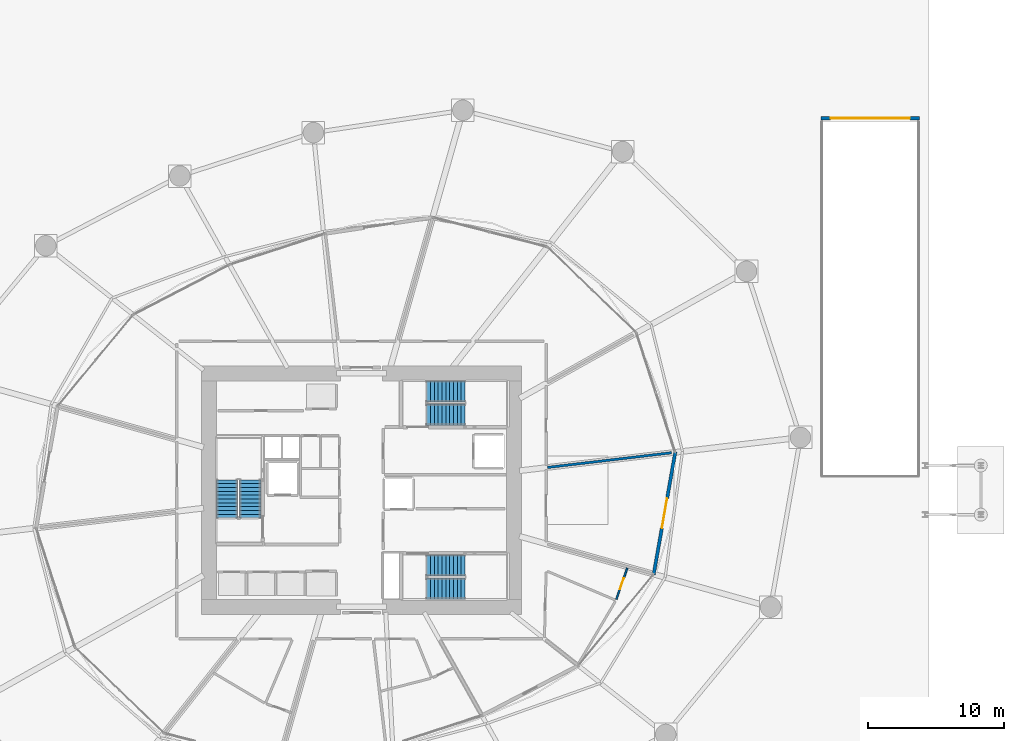
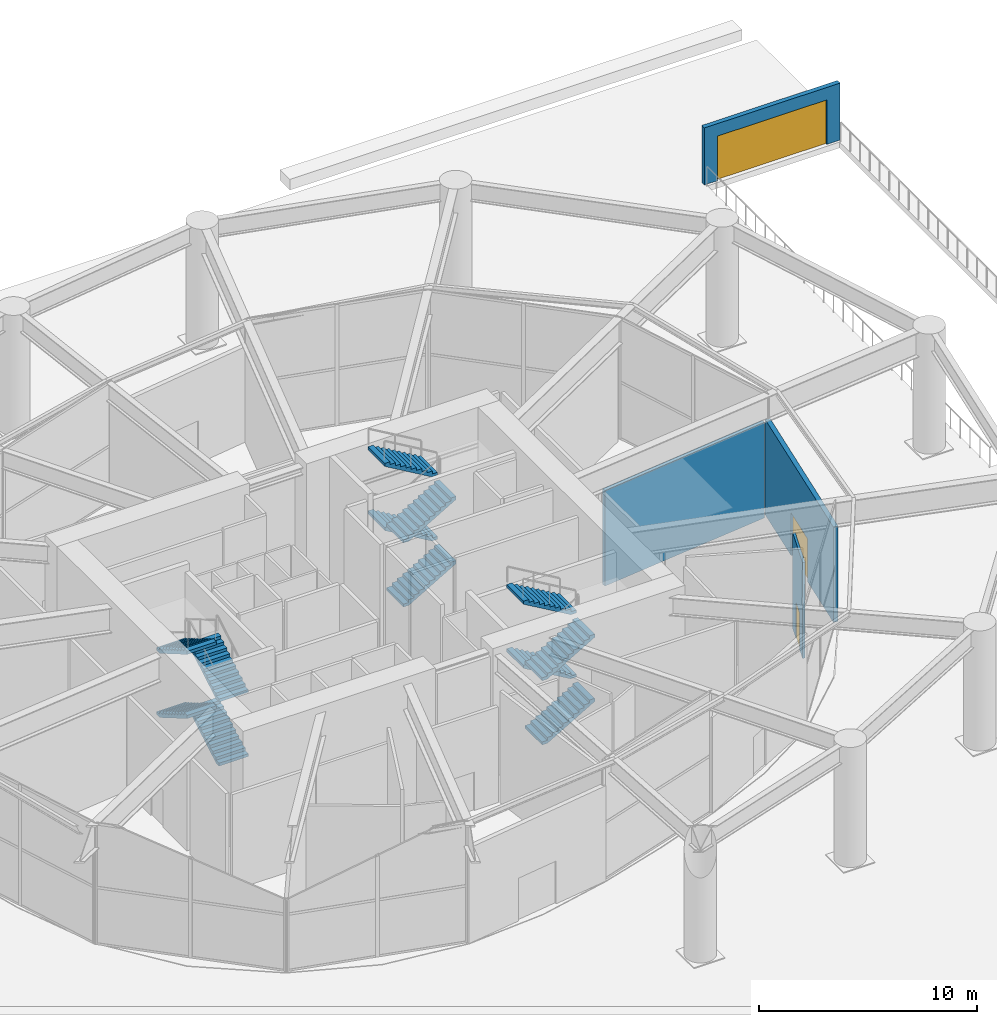
# One storey, part 24 of 28: 12 stair flights, 4 walls, 3 doors, 3 openings, 3 elements without a shape of their own.
"""IFC4 building model written with IfcOpenShell, lengths in metres."""

from ifc_helpers import new_model, si_unit, direction, frame, frame_2d, origin, place, context, subcontext, project, spatial, polyline, rectangle, outline, extrude, material, layer, layer_set, type_object, element, fill, aggregate, save


model = new_model("IFC4")

# Units and contexts
model_context = context("Model", 3, precision=1e-05, world=origin(), true_north=direction((0.0, 1.0)))
body_context = subcontext(model_context, "Body", "Model", "MODEL_VIEW")
ifc_project = project(units=[si_unit("LENGTHUNIT", "METRE"), si_unit("AREAUNIT", "SQUARE_METRE"), si_unit("VOLUMEUNIT", "CUBIC_METRE"), si_unit("PLANEANGLEUNIT", "RADIAN"), si_unit("MASSUNIT", "GRAM", prefix="KILO")], contexts=[model_context])

# Site, building, storey
site_placement = place(None, origin())
site = spatial("IfcSite", under=ifc_project, at=site_placement, CompositionType="ELEMENT")
building_placement = place(site_placement, origin())
building = spatial("IfcBuilding", under=site, at=building_placement, Name="Kazma Halo Residences", CompositionType="ELEMENT")
storey_placement = place(building_placement, origin())
storey = spatial("IfcBuildingStorey", under=building, at=storey_placement, Name="L00", CompositionType="ELEMENT", Elevation=0.0)

# Wall
ifc_material_1 = material(Name="Acoustic Twin-Stud Gypsum")
ifc_layer_1 = layer(ifc_material_1, 0.179931640625)
ifc_layer_set_1 = layer_set([ifc_layer_1], Name="Acoustic Twin-Stud Gypsum")
wall_type_1 = type_object("IfcWallType", Name="WL-DEM-180", PredefinedType="PARTITIONING", material=ifc_layer_set_1)
wall_1_placement = place(storey_placement, frame((62.05908203125, 43.6640625, 0.0), z_axis=(0.0, 0.0, 1.0), x_axis=(0.993069080233, 0.11753213129, 0.0)))
element("IfcWall", 1, at=wall_1_placement, inside=storey, type_object=wall_type_1, Name="L00 radial partition wall 15", PredefinedType="PARTITIONING", context=body_context, shape_type="SweptSolid", body=[
    extrude(rectangle(XDim=9.14404296875, YDim=0.179931640625, at=frame_2d((4.572021484375, 0.0))), origin(), (0.0, 0.0, 1.0), 5.375),
])

# Wall, opening, door
ifc_material_2 = material(Name="Insulated Pale-Metal Composite Wall")
ifc_layer_2 = layer(ifc_material_2, 0.239990234375)
ifc_layer_set_2 = layer_set([ifc_layer_2], Name="Insulated Pale-Metal Composite Wall")
wall_type_2 = type_object("IfcWallType", Name="WL-EXT-HOST-240", PredefinedType="SOLIDWALL", material=ifc_layer_set_2)
wall_2_placement = place(storey_placement, frame((89.300048828125, 69.25, 0.0), z_axis=(0.0, 0.0, 1.0), x_axis=(-1.0, 0.0, 0.0)))
wall_2 = element("IfcWall", 2, at=wall_2_placement, inside=storey, type_object=wall_type_2, Name="L00 car-park ramp entrance portal wall", PredefinedType="SOLIDWALL", context=body_context, shape_type="SweptSolid", body=[
    extrude(rectangle(XDim=7.199951171875, YDim=0.239990234375, at=frame_2d((3.60009765625, 0.0))), origin(), (0.0, 0.0, 1.0), 3.199951171875),
])
opening_1_placement = place(wall_2_placement, frame((0.699951171875, 0.0, 0.0)))
opening_1 = element("IfcOpeningElement", 3, at=opening_1_placement, cuts=wall_2, Name="Opening DVG-6000", PredefinedType="OPENING", context=body_context, shape_type="SweptSolid", body=[
    extrude(rectangle(XDim=5.800048828125, YDim=2.5, at=frame_2d((2.89990234375, 1.25))), frame((0.0, 0.1298828125, 0.0), z_axis=(0.0, -1.0, 0.0), x_axis=(1.0, 0.0, 0.0)), (0.0, 0.0, 1.0), 0.260009765625),
])
ifc_material_3 = material(Name="Insulated Aluminium AW-6063 T6 Security Shutter", Category="aluminium")
door_type_1 = type_object("IfcDoorType", Name="DR-VEH-GATE-6000", OperationType="NOTDEFINED", PredefinedType="DOOR", material=ifc_material_3)
door_1_placement = place(opening_1_placement, origin())
door_1 = element("IfcDoor", 4, at=door_1_placement, inside=storey, type_object=door_type_1, Name="L00 car-park vehicle entrance shutter door DVG-6000", OperationType="ROLLINGUP", OverallHeight=2.5, OverallWidth=5.800048828125, PredefinedType="DOOR", context=body_context, shape_type="SweptSolid", body=[
    extrude(rectangle(XDim=5.800048828125, YDim=2.5, at=frame_2d((2.89990234375, 1.25))), frame((0.0, 0.02490234375, 0.0), z_axis=(0.0, -1.0, 0.0), x_axis=(1.0, 0.0, 0.0)), (0.0, 0.0, 1.0), 0.050048828125),
])
fill(opening_1, door_1)

wall_3_placement = place(storey_placement, frame((71.42236328125, 44.8203125, 0.0), z_axis=(0.0, 0.0, 1.0), x_axis=(-0.174163599579, -0.984716731137, 0.0)))
wall_3 = element("IfcWall", 5, at=wall_3_placement, inside=storey, type_object=wall_type_2, Name="L00 ground entrance enclosure wall 15", PredefinedType="SOLIDWALL", context=body_context, shape_type="SweptSolid", body=[
    extrude(rectangle(XDim=9.167724609375, YDim=0.239990234375, at=frame_2d((4.583984375, 0.0))), origin(), (0.0, 0.0, 1.0), 5.35009765625),
])
opening_2_placement = place(wall_3_placement, frame((3.48388671875, 0.0, 0.0)))
opening_2 = element("IfcOpeningElement", 6, at=opening_2_placement, cuts=wall_3, Name="Opening D-EX-04", PredefinedType="OPENING", context=body_context, shape_type="SweptSolid", body=[
    extrude(rectangle(XDim=2.199951171875, YDim=2.39990234375, at=frame_2d((1.10009765625, 1.199951171875))), frame((0.0, 0.1298828125, 0.0), z_axis=(0.0, -1.0, 0.0), x_axis=(1.0, 0.0, 0.0)), (0.0, 0.0, 1.0), 0.260009765625),
])
ifc_material_4 = material(Name="Aluminium AW-6063 T6 Thermally Broken Glazed Door", Category="aluminium")
door_type_2 = type_object("IfcDoorType", Name="DR-EXT-EXIT-2200", OperationType="NOTDEFINED", PredefinedType="DOOR", material=ifc_material_4)
door_2_placement = place(opening_2_placement, origin())
door_2 = element("IfcDoor", 7, at=door_2_placement, inside=storey, type_object=door_type_2, Name="L00 pedestrian final exit door D-EX-04", OperationType="DOUBLE_DOOR_SINGLE_SWING", OverallHeight=2.39990234375, OverallWidth=2.199951171875, PredefinedType="DOOR", context=body_context, shape_type="SweptSolid", body=[
    extrude(rectangle(XDim=2.199951171875, YDim=2.39990234375, at=frame_2d((1.10009765625, 1.199951171875))), frame((0.0, 0.02490234375, 0.0), z_axis=(0.0, -1.0, 0.0), x_axis=(1.0, 0.0, 0.0)), (0.0, 0.0, 1.0), 0.050048828125),
])
fill(opening_2, door_2)

ifc_material_5 = material(Name="Gypsum Plasterboard Partition")
ifc_layer_3 = layer(ifc_material_5, 0.125)
ifc_layer_set_3 = layer_set([ifc_layer_3], Name="Gypsum Plasterboard Partition")
wall_type_3 = type_object("IfcWallType", Name="WL-PART-125", PredefinedType="PARTITIONING", material=ifc_layer_set_3)
wall_4_placement = place(storey_placement, frame((67.093505859375, 34.001708984375, 0.0), z_axis=(0.0, 0.0, 1.0), x_axis=(0.331379213372, 0.943497650736, 0.0)))
wall_4 = element("IfcWall", 8, at=wall_4_placement, inside=storey, type_object=wall_type_3, Name="L00 supply store wall", PredefinedType="PARTITIONING", context=body_context, shape_type="SweptSolid", body=[
    extrude(rectangle(XDim=2.420166015625, YDim=0.125, at=frame_2d((1.2099609375, 0.0))), origin(), (0.0, 0.0, 1.0), 5.375),
])
opening_3_placement = place(wall_4_placement, frame((0.78515625, 0.0, 0.0)))
opening_3 = element("IfcOpeningElement", 9, at=opening_3_placement, cuts=wall_4, Name="Opening DS-850", PredefinedType="OPENING", context=body_context, shape_type="SweptSolid", body=[
    extrude(rectangle(XDim=0.85009765625, YDim=2.06005859375, at=frame_2d((0.425048828125, 1.030029296875))), frame((0.0, 0.072509765625, 0.0), z_axis=(0.0, -1.0, 0.0), x_axis=(1.0, 0.0, 0.0)), (0.0, 0.0, 1.0), 0.14501953125),
])
ifc_material_6 = material(Name="Painted Steel Access Leaf", Category="steel")
door_type_3 = type_object("IfcDoorType", Name="DR-SVC-850", OperationType="NOTDEFINED", PredefinedType="DOOR", material=ifc_material_6)
door_3_placement = place(opening_3_placement, origin())
door_3 = element("IfcDoor", 10, at=door_3_placement, inside=storey, type_object=door_type_3, Name="L00 supply store door", OperationType="SINGLE_SWING_RIGHT", OverallHeight=2.06005859375, OverallWidth=0.85009765625, PredefinedType="DOOR", context=body_context, shape_type="SweptSolid", body=[
    extrude(rectangle(XDim=0.85009765625, YDim=2.06005859375, at=frame_2d((0.425048828125, 1.030029296875))), frame((0.0, 0.02490234375, 0.0), z_axis=(0.0, -1.0, 0.0), x_axis=(1.0, 0.0, 0.0)), (0.0, 0.0, 1.0), 0.050048828125),
])
fill(opening_3, door_3)

# Stair, stair flights
ifc_material_7 = material(Name="Concrete C50/60", Category="concrete")
stair_type = type_object("IfcStairType", Name="STR-POD", PredefinedType="HALF_TURN_STAIR", material=ifc_material_7)
stair_1_placement = place(storey_placement, origin())
stair_1 = element("IfcStair", 11, at=stair_1_placement, inside=storey, type_object=stair_type, Name="L00 Core exit stair ST-01", PredefinedType="HALF_TURN_STAIR")
stair_flight_type = type_object("IfcStairFlightType", Name="STR-POD-FLT", PredefinedType="STRAIGHT", material=ifc_material_7)
stair_flight_1_placement = place(storey_placement, frame((40.27490234375, 39.949951171875, 0.0), z_axis=(0.0, 0.0, 1.0), x_axis=(0.0, 1.0, 0.0)))
stair_flight_1 = element("IfcStairFlight", 12, at=stair_flight_1_placement, type_object=stair_flight_type, Name="ST-01 flight 1", NumberOfRisers=11, NumberOfTreads=10, PredefinedType="STRAIGHT", RiserHeight=0.163636364, TreadLength=0.28, context=body_context, shape_type="SweptSolid", body=[
    extrude(outline(polyline([(0.0, 0.0), (0.0, 0.16357421875), (0.280029296875, 0.16357421875), (0.280029296875, 0.327392578125), (0.56005859375, 0.327392578125), (0.56005859375, 0.490966796875), (0.840087890625, 0.490966796875), (0.840087890625, 0.654541015625), (1.1201171875, 0.654541015625), (1.1201171875, 0.818115234375), (1.39990234375, 0.818115234375), (1.39990234375, 0.98193359375), (1.679931640625, 0.98193359375), (1.679931640625, 1.1455078125), (1.9599609375, 1.1455078125), (1.9599609375, 1.30908203125), (2.239990234375, 1.30908203125), (2.239990234375, 1.47265625), (2.52001953125, 1.47265625), (2.52001953125, 1.636474609375), (2.800048828125, 1.636474609375), (2.800048828125, 1.800048828125), (2.800048828125, 1.462646484375), (0.297119140625, 0.0), (0.0, 0.0)])), frame((0.0, 0.77490234375, 0.0), z_axis=(0.0, -1.0, 0.0), x_axis=(1.0, 0.0, 0.0)), (0.0, 0.0, 1.0), 1.550048828125),
])
stair_flight_2_placement = place(storey_placement, frame((38.574951171875, 42.75, 1.800048828125), z_axis=(0.0, 0.0, 1.0), x_axis=(0.0, -1.0, 0.0)))
stair_flight_2 = element("IfcStairFlight", 13, at=stair_flight_2_placement, type_object=stair_flight_type, Name="ST-01 flight 2", NumberOfRisers=11, NumberOfTreads=10, PredefinedType="STRAIGHT", RiserHeight=0.163636364, TreadLength=0.28, context=body_context, shape_type="SweptSolid", body=[
    extrude(outline(polyline([(0.0, 0.0), (0.0, 0.16357421875), (0.280029296875, 0.16357421875), (0.280029296875, 0.327392578125), (0.56005859375, 0.327392578125), (0.56005859375, 0.490966796875), (0.840087890625, 0.490966796875), (0.840087890625, 0.654541015625), (1.1201171875, 0.654541015625), (1.1201171875, 0.818115234375), (1.39990234375, 0.818115234375), (1.39990234375, 0.98193359375), (1.679931640625, 0.98193359375), (1.679931640625, 1.1455078125), (1.9599609375, 1.1455078125), (1.9599609375, 1.30908203125), (2.239990234375, 1.30908203125), (2.239990234375, 1.47265625), (2.52001953125, 1.47265625), (2.52001953125, 1.636474609375), (2.800048828125, 1.636474609375), (2.800048828125, 1.800048828125), (2.800048828125, 1.462646484375), (0.297119140625, 0.0), (0.0, 0.0)])), frame((0.0, 0.77490234375, 0.0), z_axis=(0.0, -1.0, 0.0), x_axis=(1.0, 0.0, 0.0)), (0.0, 0.0, 1.0), 1.550048828125),
])
stair_flight_3_placement = place(storey_placement, frame((40.27490234375, 39.949951171875, 3.60009765625), z_axis=(0.0, 0.0, 1.0), x_axis=(0.0, 1.0, 0.0)))
stair_flight_3 = element("IfcStairFlight", 14, at=stair_flight_3_placement, type_object=stair_flight_type, Name="ST-01 flight 3", NumberOfRisers=11, NumberOfTreads=10, PredefinedType="STRAIGHT", RiserHeight=0.163636364, TreadLength=0.28, context=body_context, shape_type="SweptSolid", body=[
    extrude(outline(polyline([(0.0, 0.0), (0.0, 0.16357421875), (0.280029296875, 0.16357421875), (0.280029296875, 0.327392578125), (0.56005859375, 0.327392578125), (0.56005859375, 0.490966796875), (0.840087890625, 0.490966796875), (0.840087890625, 0.654541015625), (1.1201171875, 0.654541015625), (1.1201171875, 0.818115234375), (1.39990234375, 0.818115234375), (1.39990234375, 0.98193359375), (1.679931640625, 0.98193359375), (1.679931640625, 1.1455078125), (1.9599609375, 1.1455078125), (1.9599609375, 1.30908203125), (2.239990234375, 1.30908203125), (2.239990234375, 1.47265625), (2.52001953125, 1.47265625), (2.52001953125, 1.636474609375), (2.800048828125, 1.636474609375), (2.800048828125, 1.800048828125), (2.800048828125, 1.462646484375), (0.297119140625, 0.0), (0.0, 0.0)])), frame((0.0, 0.77490234375, 0.0), z_axis=(0.0, -1.0, 0.0), x_axis=(1.0, 0.0, 0.0)), (0.0, 0.0, 1.0), 1.550048828125),
])
stair_flight_4_placement = place(storey_placement, frame((38.574951171875, 42.75, 5.39990234375), z_axis=(0.0, 0.0, 1.0), x_axis=(0.0, -1.0, 0.0)))
stair_flight_4 = element("IfcStairFlight", 15, at=stair_flight_4_placement, type_object=stair_flight_type, Name="ST-01 flight 4", NumberOfRisers=11, NumberOfTreads=10, PredefinedType="STRAIGHT", RiserHeight=0.163636364, TreadLength=0.28, context=body_context, shape_type="SweptSolid", body=[
    extrude(outline(polyline([(0.0, 0.0), (0.0, 0.16357421875), (0.280029296875, 0.16357421875), (0.280029296875, 0.327392578125), (0.56005859375, 0.327392578125), (0.56005859375, 0.490966796875), (0.840087890625, 0.490966796875), (0.840087890625, 0.654541015625), (1.1201171875, 0.654541015625), (1.1201171875, 0.818115234375), (1.39990234375, 0.818115234375), (1.39990234375, 0.98193359375), (1.679931640625, 0.98193359375), (1.679931640625, 1.1455078125), (1.9599609375, 1.1455078125), (1.9599609375, 1.30908203125), (2.239990234375, 1.30908203125), (2.239990234375, 1.47265625), (2.52001953125, 1.47265625), (2.52001953125, 1.636474609375), (2.800048828125, 1.636474609375), (2.800048828125, 1.800048828125), (2.800048828125, 1.462646484375), (0.297119140625, 0.0), (0.0, 0.0)])), frame((0.0, 0.77490234375, 0.0), z_axis=(0.0, -1.0, 0.0), x_axis=(1.0, 0.0, 0.0)), (0.0, 0.0, 1.0), 1.550048828125),
])
aggregate(stair_1, [stair_flight_1, stair_flight_2, stair_flight_3, stair_flight_4])

stair_2_placement = place(storey_placement, origin())
stair_2 = element("IfcStair", 16, at=stair_2_placement, inside=storey, type_object=stair_type, Name="L00 Core exit stair ST-02", PredefinedType="HALF_TURN_STAIR")
stair_flight_5_placement = place(storey_placement, frame((53.199951171875, 47.52490234375, 0.0), z_axis=(0.0, 0.0, 1.0), x_axis=(1.0, 0.0, 0.0)))
stair_flight_5 = element("IfcStairFlight", 17, at=stair_flight_5_placement, type_object=stair_flight_type, Name="ST-02 flight 1", NumberOfRisers=11, NumberOfTreads=10, PredefinedType="STRAIGHT", RiserHeight=0.163636364, TreadLength=0.28, context=body_context, shape_type="SweptSolid", body=[
    extrude(outline(polyline([(0.0, 0.0), (0.0, 0.16357421875), (0.280029296875, 0.16357421875), (0.280029296875, 0.327392578125), (0.56005859375, 0.327392578125), (0.56005859375, 0.490966796875), (0.840087890625, 0.490966796875), (0.840087890625, 0.654541015625), (1.1201171875, 0.654541015625), (1.1201171875, 0.818115234375), (1.39990234375, 0.818115234375), (1.39990234375, 0.98193359375), (1.679931640625, 0.98193359375), (1.679931640625, 1.1455078125), (1.9599609375, 1.1455078125), (1.9599609375, 1.30908203125), (2.239990234375, 1.30908203125), (2.239990234375, 1.47265625), (2.52001953125, 1.47265625), (2.52001953125, 1.636474609375), (2.800048828125, 1.636474609375), (2.800048828125, 1.800048828125), (2.800048828125, 1.462646484375), (0.297119140625, 0.0), (0.0, 0.0)])), frame((0.0, 0.77490234375, 0.0), z_axis=(0.0, -1.0, 0.0), x_axis=(1.0, 0.0, 0.0)), (0.0, 0.0, 1.0), 1.550048828125),
])
stair_flight_6_placement = place(storey_placement, frame((56.0, 49.22509765625, 1.800048828125), z_axis=(0.0, 0.0, 1.0), x_axis=(-1.0, 0.0, 0.0)))
stair_flight_6 = element("IfcStairFlight", 18, at=stair_flight_6_placement, type_object=stair_flight_type, Name="ST-02 flight 2", NumberOfRisers=11, NumberOfTreads=10, PredefinedType="STRAIGHT", RiserHeight=0.163636364, TreadLength=0.28, context=body_context, shape_type="SweptSolid", body=[
    extrude(outline(polyline([(0.0, 0.0), (0.0, 0.16357421875), (0.280029296875, 0.16357421875), (0.280029296875, 0.327392578125), (0.56005859375, 0.327392578125), (0.56005859375, 0.490966796875), (0.840087890625, 0.490966796875), (0.840087890625, 0.654541015625), (1.1201171875, 0.654541015625), (1.1201171875, 0.818115234375), (1.39990234375, 0.818115234375), (1.39990234375, 0.98193359375), (1.679931640625, 0.98193359375), (1.679931640625, 1.1455078125), (1.9599609375, 1.1455078125), (1.9599609375, 1.30908203125), (2.239990234375, 1.30908203125), (2.239990234375, 1.47265625), (2.52001953125, 1.47265625), (2.52001953125, 1.636474609375), (2.800048828125, 1.636474609375), (2.800048828125, 1.800048828125), (2.800048828125, 1.462646484375), (0.297119140625, 0.0), (0.0, 0.0)])), frame((0.0, 0.77490234375, 0.0), z_axis=(0.0, -1.0, 0.0), x_axis=(1.0, 0.0, 0.0)), (0.0, 0.0, 1.0), 1.550048828125),
])
stair_flight_7_placement = place(storey_placement, frame((53.199951171875, 47.52490234375, 3.60009765625), z_axis=(0.0, 0.0, 1.0), x_axis=(1.0, 0.0, 0.0)))
stair_flight_7 = element("IfcStairFlight", 19, at=stair_flight_7_placement, type_object=stair_flight_type, Name="ST-02 flight 3", NumberOfRisers=11, NumberOfTreads=10, PredefinedType="STRAIGHT", RiserHeight=0.163636364, TreadLength=0.28, context=body_context, shape_type="SweptSolid", body=[
    extrude(outline(polyline([(0.0, 0.0), (0.0, 0.16357421875), (0.280029296875, 0.16357421875), (0.280029296875, 0.327392578125), (0.56005859375, 0.327392578125), (0.56005859375, 0.490966796875), (0.840087890625, 0.490966796875), (0.840087890625, 0.654541015625), (1.1201171875, 0.654541015625), (1.1201171875, 0.818115234375), (1.39990234375, 0.818115234375), (1.39990234375, 0.98193359375), (1.679931640625, 0.98193359375), (1.679931640625, 1.1455078125), (1.9599609375, 1.1455078125), (1.9599609375, 1.30908203125), (2.239990234375, 1.30908203125), (2.239990234375, 1.47265625), (2.52001953125, 1.47265625), (2.52001953125, 1.636474609375), (2.800048828125, 1.636474609375), (2.800048828125, 1.800048828125), (2.800048828125, 1.462646484375), (0.297119140625, 0.0), (0.0, 0.0)])), frame((0.0, 0.77490234375, 0.0), z_axis=(0.0, -1.0, 0.0), x_axis=(1.0, 0.0, 0.0)), (0.0, 0.0, 1.0), 1.550048828125),
])
stair_flight_8_placement = place(storey_placement, frame((56.0, 49.22509765625, 5.39990234375), z_axis=(0.0, 0.0, 1.0), x_axis=(-1.0, 0.0, 0.0)))
stair_flight_8 = element("IfcStairFlight", 20, at=stair_flight_8_placement, type_object=stair_flight_type, Name="ST-02 flight 4", NumberOfRisers=11, NumberOfTreads=10, PredefinedType="STRAIGHT", RiserHeight=0.163636364, TreadLength=0.28, context=body_context, shape_type="SweptSolid", body=[
    extrude(outline(polyline([(0.0, 0.0), (0.0, 0.16357421875), (0.280029296875, 0.16357421875), (0.280029296875, 0.327392578125), (0.56005859375, 0.327392578125), (0.56005859375, 0.490966796875), (0.840087890625, 0.490966796875), (0.840087890625, 0.654541015625), (1.1201171875, 0.654541015625), (1.1201171875, 0.818115234375), (1.39990234375, 0.818115234375), (1.39990234375, 0.98193359375), (1.679931640625, 0.98193359375), (1.679931640625, 1.1455078125), (1.9599609375, 1.1455078125), (1.9599609375, 1.30908203125), (2.239990234375, 1.30908203125), (2.239990234375, 1.47265625), (2.52001953125, 1.47265625), (2.52001953125, 1.636474609375), (2.800048828125, 1.636474609375), (2.800048828125, 1.800048828125), (2.800048828125, 1.462646484375), (0.297119140625, 0.0), (0.0, 0.0)])), frame((0.0, 0.77490234375, 0.0), z_axis=(0.0, -1.0, 0.0), x_axis=(1.0, 0.0, 0.0)), (0.0, 0.0, 1.0), 1.550048828125),
])
aggregate(stair_2, [stair_flight_5, stair_flight_6, stair_flight_7, stair_flight_8])

stair_3_placement = place(storey_placement, origin())
stair_3 = element("IfcStair", 21, at=stair_3_placement, inside=storey, type_object=stair_type, Name="L00 Core exit stair ST-03", PredefinedType="HALF_TURN_STAIR")
stair_flight_9_placement = place(storey_placement, frame((53.199951171875, 34.77490234375, 0.0), z_axis=(0.0, 0.0, 1.0), x_axis=(1.0, 0.0, 0.0)))
stair_flight_9 = element("IfcStairFlight", 22, at=stair_flight_9_placement, type_object=stair_flight_type, Name="ST-03 flight 1", NumberOfRisers=11, NumberOfTreads=10, PredefinedType="STRAIGHT", RiserHeight=0.163636364, TreadLength=0.28, context=body_context, shape_type="SweptSolid", body=[
    extrude(outline(polyline([(0.0, 0.0), (0.0, 0.16357421875), (0.280029296875, 0.16357421875), (0.280029296875, 0.327392578125), (0.56005859375, 0.327392578125), (0.56005859375, 0.490966796875), (0.840087890625, 0.490966796875), (0.840087890625, 0.654541015625), (1.1201171875, 0.654541015625), (1.1201171875, 0.818115234375), (1.39990234375, 0.818115234375), (1.39990234375, 0.98193359375), (1.679931640625, 0.98193359375), (1.679931640625, 1.1455078125), (1.9599609375, 1.1455078125), (1.9599609375, 1.30908203125), (2.239990234375, 1.30908203125), (2.239990234375, 1.47265625), (2.52001953125, 1.47265625), (2.52001953125, 1.636474609375), (2.800048828125, 1.636474609375), (2.800048828125, 1.800048828125), (2.800048828125, 1.462646484375), (0.297119140625, 0.0), (0.0, 0.0)])), frame((0.0, 0.77490234375, 0.0), z_axis=(0.0, -1.0, 0.0), x_axis=(1.0, 0.0, 0.0)), (0.0, 0.0, 1.0), 1.550048828125),
])
stair_flight_10_placement = place(storey_placement, frame((56.0, 36.47509765625, 1.800048828125), z_axis=(0.0, 0.0, 1.0), x_axis=(-1.0, 0.0, 0.0)))
stair_flight_10 = element("IfcStairFlight", 23, at=stair_flight_10_placement, type_object=stair_flight_type, Name="ST-03 flight 2", NumberOfRisers=11, NumberOfTreads=10, PredefinedType="STRAIGHT", RiserHeight=0.163636364, TreadLength=0.28, context=body_context, shape_type="SweptSolid", body=[
    extrude(outline(polyline([(0.0, 0.0), (0.0, 0.16357421875), (0.280029296875, 0.16357421875), (0.280029296875, 0.327392578125), (0.56005859375, 0.327392578125), (0.56005859375, 0.490966796875), (0.840087890625, 0.490966796875), (0.840087890625, 0.654541015625), (1.1201171875, 0.654541015625), (1.1201171875, 0.818115234375), (1.39990234375, 0.818115234375), (1.39990234375, 0.98193359375), (1.679931640625, 0.98193359375), (1.679931640625, 1.1455078125), (1.9599609375, 1.1455078125), (1.9599609375, 1.30908203125), (2.239990234375, 1.30908203125), (2.239990234375, 1.47265625), (2.52001953125, 1.47265625), (2.52001953125, 1.636474609375), (2.800048828125, 1.636474609375), (2.800048828125, 1.800048828125), (2.800048828125, 1.462646484375), (0.297119140625, 0.0), (0.0, 0.0)])), frame((0.0, 0.77490234375, 0.0), z_axis=(0.0, -1.0, 0.0), x_axis=(1.0, 0.0, 0.0)), (0.0, 0.0, 1.0), 1.550048828125),
])
stair_flight_11_placement = place(storey_placement, frame((53.199951171875, 34.77490234375, 3.60009765625), z_axis=(0.0, 0.0, 1.0), x_axis=(1.0, 0.0, 0.0)))
stair_flight_11 = element("IfcStairFlight", 24, at=stair_flight_11_placement, type_object=stair_flight_type, Name="ST-03 flight 3", NumberOfRisers=11, NumberOfTreads=10, PredefinedType="STRAIGHT", RiserHeight=0.163636364, TreadLength=0.28, context=body_context, shape_type="SweptSolid", body=[
    extrude(outline(polyline([(0.0, 0.0), (0.0, 0.16357421875), (0.280029296875, 0.16357421875), (0.280029296875, 0.327392578125), (0.56005859375, 0.327392578125), (0.56005859375, 0.490966796875), (0.840087890625, 0.490966796875), (0.840087890625, 0.654541015625), (1.1201171875, 0.654541015625), (1.1201171875, 0.818115234375), (1.39990234375, 0.818115234375), (1.39990234375, 0.98193359375), (1.679931640625, 0.98193359375), (1.679931640625, 1.1455078125), (1.9599609375, 1.1455078125), (1.9599609375, 1.30908203125), (2.239990234375, 1.30908203125), (2.239990234375, 1.47265625), (2.52001953125, 1.47265625), (2.52001953125, 1.636474609375), (2.800048828125, 1.636474609375), (2.800048828125, 1.800048828125), (2.800048828125, 1.462646484375), (0.297119140625, 0.0), (0.0, 0.0)])), frame((0.0, 0.77490234375, 0.0), z_axis=(0.0, -1.0, 0.0), x_axis=(1.0, 0.0, 0.0)), (0.0, 0.0, 1.0), 1.550048828125),
])
stair_flight_12_placement = place(storey_placement, frame((56.0, 36.47509765625, 5.39990234375), z_axis=(0.0, 0.0, 1.0), x_axis=(-1.0, 0.0, 0.0)))
stair_flight_12 = element("IfcStairFlight", 25, at=stair_flight_12_placement, type_object=stair_flight_type, Name="ST-03 flight 4", NumberOfRisers=11, NumberOfTreads=10, PredefinedType="STRAIGHT", RiserHeight=0.163636364, TreadLength=0.28, context=body_context, shape_type="SweptSolid", body=[
    extrude(outline(polyline([(0.0, 0.0), (0.0, 0.16357421875), (0.280029296875, 0.16357421875), (0.280029296875, 0.327392578125), (0.56005859375, 0.327392578125), (0.56005859375, 0.490966796875), (0.840087890625, 0.490966796875), (0.840087890625, 0.654541015625), (1.1201171875, 0.654541015625), (1.1201171875, 0.818115234375), (1.39990234375, 0.818115234375), (1.39990234375, 0.98193359375), (1.679931640625, 0.98193359375), (1.679931640625, 1.1455078125), (1.9599609375, 1.1455078125), (1.9599609375, 1.30908203125), (2.239990234375, 1.30908203125), (2.239990234375, 1.47265625), (2.52001953125, 1.47265625), (2.52001953125, 1.636474609375), (2.800048828125, 1.636474609375), (2.800048828125, 1.800048828125), (2.800048828125, 1.462646484375), (0.297119140625, 0.0), (0.0, 0.0)])), frame((0.0, 0.77490234375, 0.0), z_axis=(0.0, -1.0, 0.0), x_axis=(1.0, 0.0, 0.0)), (0.0, 0.0, 1.0), 1.550048828125),
])
aggregate(stair_3, [stair_flight_9, stair_flight_10, stair_flight_11, stair_flight_12])

save(model, "model.ifc")
